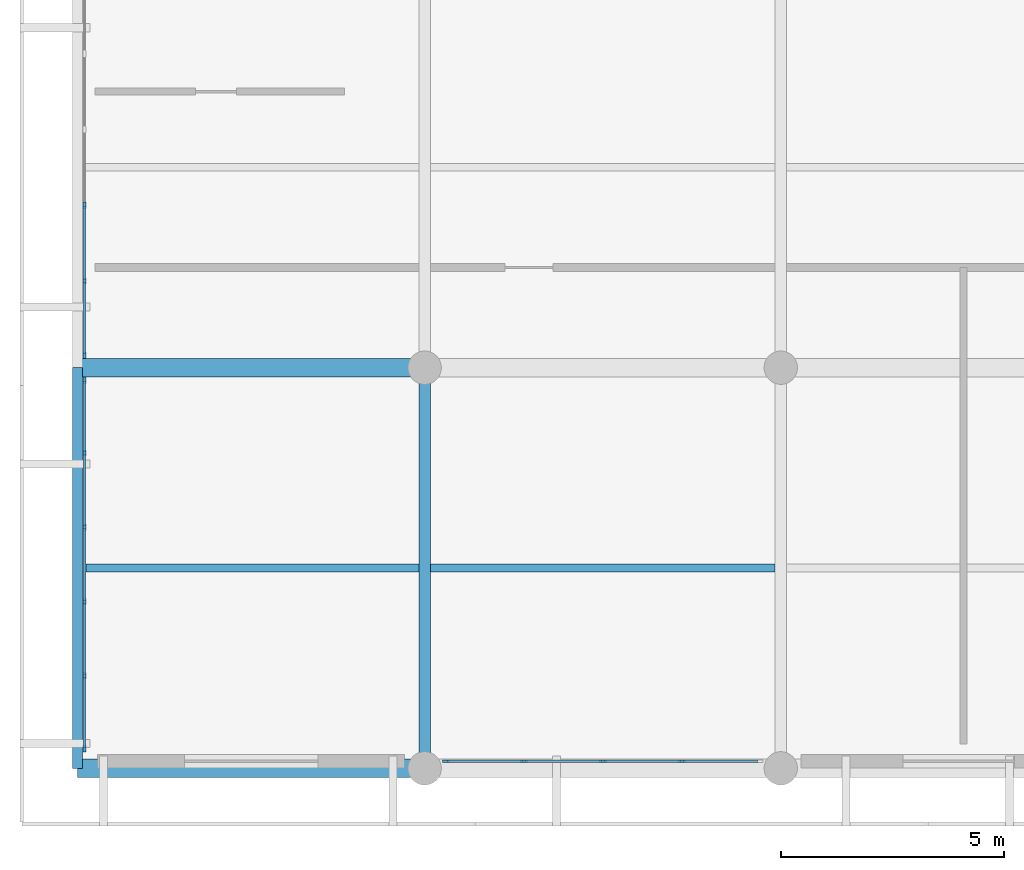
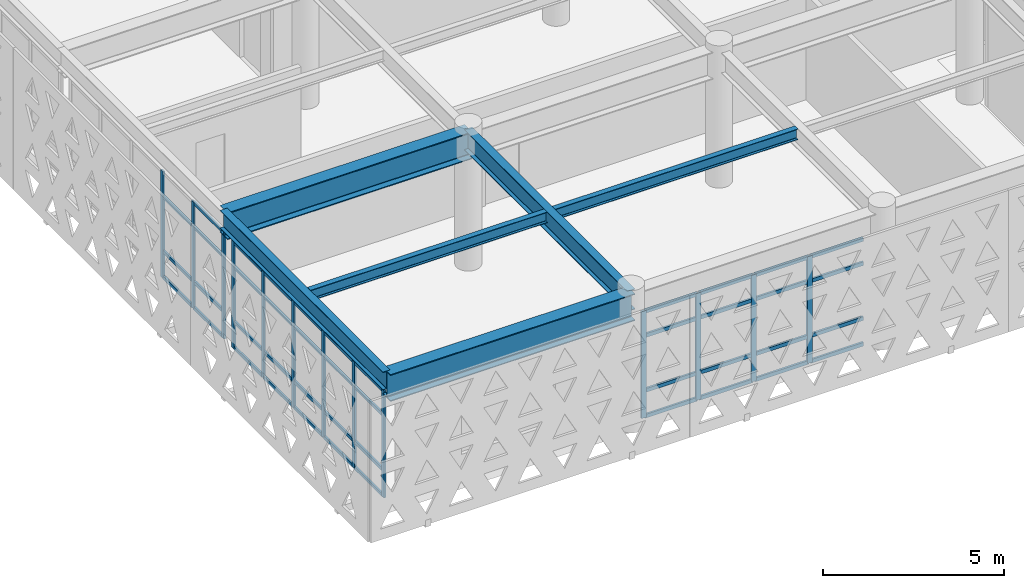
# One storey, part 2 of 33: 56 members, 6 beams, 3 elements without a shape of their own.
"""IFC4 building model written with IfcOpenShell, lengths in metres."""

from ifc_helpers import new_model, si_unit, direction, frame, origin, origin_2d, place, context, subcontext, project, spatial, rectangle, i_section, extrude, material, layer, layer_set, material_profile, profile_set, type_object, element, aggregate, save


model = new_model("IFC4")

# Units and contexts
model_context = context("Model", 3, precision=1e-05, world=origin(), true_north=direction((0.0, 1.0)))
body_context = subcontext(model_context, "Body", "Model", "MODEL_VIEW")
ifc_project = project(units=[si_unit("LENGTHUNIT", "METRE"), si_unit("AREAUNIT", "SQUARE_METRE"), si_unit("VOLUMEUNIT", "CUBIC_METRE"), si_unit("PLANEANGLEUNIT", "RADIAN"), si_unit("MASSUNIT", "GRAM", prefix="KILO")], contexts=[model_context])

# Site, building, storey
site_placement = place(None, origin())
site = spatial("IfcSite", under=ifc_project, at=site_placement, CompositionType="ELEMENT")
building_placement = place(site_placement, origin())
building = spatial("IfcBuilding", under=site, at=building_placement, Name="Tlacozan Convention Centre", CompositionType="ELEMENT")
storey_placement = place(building_placement, frame((0.0, 0.0, 16.199951171875)))
storey = spatial("IfcBuildingStorey", under=building, at=storey_placement, Name="L03", CompositionType="ELEMENT", Elevation=16.199951171875)

# Beams
ifc_material_1 = material(Name="Steel ASTM A992 Grade 50", Category="steel")
ifc_material_profile_1 = material_profile(ifc_material_1, i_section(OverallWidth=0.41796875, OverallDepth=0.912109375, WebThickness=0.019287109375, FlangeThickness=0.031982421875, FilletRadius=0.02001953125, at=origin_2d()), Name="IR 914x342.0")
ifc_profile_set_1 = profile_set([ifc_material_profile_1], Name="Steel ASTM A992 Grade 50")
beam_type_1 = type_object("IfcBeamType", Name="Cantilever Girder IR 914x342", PredefinedType="BEAM", material=ifc_profile_set_1)
for number, where, z_axis, x_axis, name in (
    (1, (8.0, 0.0, 4.10400390625), (-1.0, 0.0, 0.0), (0.0, -1.0, 0.0), "L03 Cantilever Girder IR 914x342 577"),
    (2, (8.0, 9.0, 4.10400390625), (-1.0, 0.0, 0.0), (0.0, -1.0, 0.0), "L03 Cantilever Girder IR 914x342 579"),
):
    element("IfcBeam", number, at=place(storey_placement, frame(where, z_axis=z_axis, x_axis=x_axis)), inside=storey, type_object=beam_type_1, Name=name, PredefinedType="BEAM", context=body_context, shape_type="SweptSolid", body=[
        extrude(i_section(OverallWidth=0.41796875, OverallDepth=0.912109375, WebThickness=0.019287109375, FlangeThickness=0.031982421875, FilletRadius=0.02001953125, at=origin_2d()), origin(), (0.0, 0.0, 1.0), 7.800048828125),
    ])

# Curtain wall, members
ifc_material_2 = material(Name="Dark Bronze Anodised Aluminium", Category="aluminium")
ifc_layer_1 = layer(ifc_material_2, 0.159912109375)
ifc_layer_set_1 = layer_set([ifc_layer_1], Name="Dark Bronze Anodised Aluminium")
curtain_wall_type_1 = type_object("IfcCurtainWallType", Name="Unitised Congress Gable End CW06", PredefinedType="NOTDEFINED", material=ifc_layer_set_1)
curtain_wall_1_placement = place(storey_placement, origin())
curtain_wall_1 = element("IfcCurtainWall", 3, at=curtain_wall_1_placement, inside=storey, type_object=curtain_wall_type_1, Name="L03 CW-06 Run 118", PredefinedType="NOTDEFINED")
ifc_material_profile_2 = material_profile(ifc_material_2, rectangle(XDim=0.06005859375, YDim=0.139892578125, at=origin_2d()), Name="ALU 60x140")
ifc_profile_set_2 = profile_set([ifc_material_profile_2], Name="Dark Bronze Anodised Aluminium")
member_type_1 = type_object("IfcMemberType", Name="Curtain Wall Light Mullion 60x140", PredefinedType="MULLION", material=ifc_profile_set_2)
member_1_placement = place(storey_placement, frame((0.360107421875, 0.43994140625, 0.0), z_axis=(0.0, 0.0, 1.0), x_axis=(-1.0, 0.0, 0.0)))
member_1 = element("IfcMember", 4, at=member_1_placement, type_object=member_type_1, Name="CW-06 mullion 1", PredefinedType="MULLION", context=body_context, shape_type="SweptSolid", body=[
    extrude(rectangle(XDim=0.06005859375, YDim=0.139892578125, at=origin_2d()), origin(), (0.0, 0.0, 1.0), 3.60009765625),
])
member_2_placement = place(storey_placement, frame((0.360107421875, 2.077880859375, 0.0), z_axis=(0.0, 0.0, 1.0), x_axis=(-1.0, 0.0, 0.0)))
member_2 = element("IfcMember", 5, at=member_2_placement, type_object=member_type_1, Name="CW-06 mullion 2", PredefinedType="MULLION", context=body_context, shape_type="SweptSolid", body=[
    extrude(rectangle(XDim=0.06005859375, YDim=0.139892578125, at=origin_2d()), origin(), (0.0, 0.0, 1.0), 3.60009765625),
])
member_3_placement = place(storey_placement, frame((0.360107421875, 3.74609375, 0.0), z_axis=(0.0, 0.0, 1.0), x_axis=(-1.0, 0.0, 0.0)))
member_3 = element("IfcMember", 6, at=member_3_placement, type_object=member_type_1, Name="CW-06 mullion 3", PredefinedType="MULLION", context=body_context, shape_type="SweptSolid", body=[
    extrude(rectangle(XDim=0.06005859375, YDim=0.139892578125, at=origin_2d()), origin(), (0.0, 0.0, 1.0), 3.60009765625),
])
member_4_placement = place(storey_placement, frame((0.360107421875, 5.4140625, 0.0), z_axis=(0.0, 0.0, 1.0), x_axis=(-1.0, 0.0, 0.0)))
member_4 = element("IfcMember", 7, at=member_4_placement, type_object=member_type_1, Name="CW-06 mullion 4", PredefinedType="MULLION", context=body_context, shape_type="SweptSolid", body=[
    extrude(rectangle(XDim=0.06005859375, YDim=0.139892578125, at=origin_2d()), origin(), (0.0, 0.0, 1.0), 3.60009765625),
])
member_5_placement = place(storey_placement, frame((0.360107421875, 7.08203125, 0.0), z_axis=(0.0, 0.0, 1.0), x_axis=(-1.0, 0.0, 0.0)))
member_5 = element("IfcMember", 8, at=member_5_placement, type_object=member_type_1, Name="CW-06 mullion 5", PredefinedType="MULLION", context=body_context, shape_type="SweptSolid", body=[
    extrude(rectangle(XDim=0.06005859375, YDim=0.139892578125, at=origin_2d()), origin(), (0.0, 0.0, 1.0), 3.60009765625),
])
member_6_placement = place(storey_placement, frame((0.360107421875, 8.719970703125, 0.0), z_axis=(0.0, 0.0, 1.0), x_axis=(-1.0, 0.0, 0.0)))
member_6 = element("IfcMember", 9, at=member_6_placement, type_object=member_type_1, Name="CW-06 mullion 6", PredefinedType="MULLION", context=body_context, shape_type="SweptSolid", body=[
    extrude(rectangle(XDim=0.06005859375, YDim=0.139892578125, at=origin_2d()), origin(), (0.0, 0.0, 1.0), 3.60009765625),
])

curtain_wall_2_placement = place(storey_placement, origin())
curtain_wall_2 = element("IfcCurtainWall", 10, at=curtain_wall_2_placement, inside=storey, type_object=curtain_wall_type_1, Name="L03 CW-06 Run 120", PredefinedType="NOTDEFINED")
member_7_placement = place(storey_placement, frame((0.360107421875, 9.280029296875, 0.0), z_axis=(0.0, 0.0, 1.0), x_axis=(-1.0, 0.0, 0.0)))
member_7 = element("IfcMember", 11, at=member_7_placement, type_object=member_type_1, Name="CW-06 mullion 1", PredefinedType="MULLION", context=body_context, shape_type="SweptSolid", body=[
    extrude(rectangle(XDim=0.06005859375, YDim=0.139892578125, at=origin_2d()), origin(), (0.0, 0.0, 1.0), 3.60009765625),
])
member_8_placement = place(storey_placement, frame((0.360107421875, 10.949951171875, 0.0), z_axis=(0.0, 0.0, 1.0), x_axis=(-1.0, 0.0, 0.0)))
member_8 = element("IfcMember", 12, at=member_8_placement, type_object=member_type_1, Name="CW-06 mullion 2", PredefinedType="MULLION", context=body_context, shape_type="SweptSolid", body=[
    extrude(rectangle(XDim=0.06005859375, YDim=0.139892578125, at=origin_2d()), origin(), (0.0, 0.0, 1.0), 3.60009765625),
])
member_9_placement = place(storey_placement, frame((0.360107421875, 12.64990234375, 0.0), z_axis=(0.0, 0.0, 1.0), x_axis=(-1.0, 0.0, 0.0)))
member_9 = element("IfcMember", 13, at=member_9_placement, type_object=member_type_1, Name="CW-06 mullion 3", PredefinedType="MULLION", context=body_context, shape_type="SweptSolid", body=[
    extrude(rectangle(XDim=0.06005859375, YDim=0.139892578125, at=origin_2d()), origin(), (0.0, 0.0, 1.0), 3.60009765625),
])

# Member
ifc_material_profile_3 = material_profile(ifc_material_2, rectangle(XDim=0.06005859375, YDim=0.110107421875, at=origin_2d()), Name="ALU 60x110")
ifc_profile_set_3 = profile_set([ifc_material_profile_3], Name="Dark Bronze Anodised Aluminium")
member_type_2 = type_object("IfcMemberType", Name="Curtain Wall Light Transom 60x110", PredefinedType="USERDEFINED", material=ifc_profile_set_3)
member_10_placement = place(storey_placement, frame((0.360107421875, 0.469970703125, 0.030029296875), z_axis=(0.0, 1.0, 0.0), x_axis=(-1.0, 0.0, 0.0)))
member_10 = element("IfcMember", 14, at=member_10_placement, type_object=member_type_2, Name="CW-06 transom 1.1", ObjectType="TRANSOM", PredefinedType="USERDEFINED", context=body_context, shape_type="SweptSolid", body=[
    extrude(rectangle(XDim=0.06005859375, YDim=0.110107421875, at=origin_2d()), origin(), (0.0, 0.0, 1.0), 1.578125),
])

member_11_placement = place(storey_placement, frame((0.360107421875, 0.469970703125, 0.900146484375), z_axis=(0.0, 1.0, 0.0), x_axis=(-1.0, 0.0, 0.0)))
member_11 = element("IfcMember", 15, at=member_11_placement, type_object=member_type_2, Name="CW-06 transom 1.2", ObjectType="TRANSOM", PredefinedType="USERDEFINED", context=body_context, shape_type="SweptSolid", body=[
    extrude(rectangle(XDim=0.06005859375, YDim=0.110107421875, at=origin_2d()), origin(), (0.0, 0.0, 1.0), 1.578125),
])

member_12_placement = place(storey_placement, frame((0.360107421875, 0.469970703125, 2.75), z_axis=(0.0, 1.0, 0.0), x_axis=(-1.0, 0.0, 0.0)))
member_12 = element("IfcMember", 16, at=member_12_placement, type_object=member_type_2, Name="CW-06 transom 1.3", ObjectType="TRANSOM", PredefinedType="USERDEFINED", context=body_context, shape_type="SweptSolid", body=[
    extrude(rectangle(XDim=0.06005859375, YDim=0.110107421875, at=origin_2d()), origin(), (0.0, 0.0, 1.0), 1.578125),
])

member_13_placement = place(storey_placement, frame((0.360107421875, 0.469970703125, 3.570068359375), z_axis=(0.0, 1.0, 0.0), x_axis=(-1.0, 0.0, 0.0)))
member_13 = element("IfcMember", 17, at=member_13_placement, type_object=member_type_2, Name="CW-06 transom 1.4", ObjectType="TRANSOM", PredefinedType="USERDEFINED", context=body_context, shape_type="SweptSolid", body=[
    extrude(rectangle(XDim=0.06005859375, YDim=0.110107421875, at=origin_2d()), origin(), (0.0, 0.0, 1.0), 1.578125),
])

member_14_placement = place(storey_placement, frame((0.360107421875, 2.10791015625, 0.030029296875), z_axis=(0.0, 1.0, 0.0), x_axis=(-1.0, 0.0, 0.0)))
member_14 = element("IfcMember", 18, at=member_14_placement, type_object=member_type_2, Name="CW-06 transom 2.1", ObjectType="TRANSOM", PredefinedType="USERDEFINED", context=body_context, shape_type="SweptSolid", body=[
    extrude(rectangle(XDim=0.06005859375, YDim=0.110107421875, at=origin_2d()), origin(), (0.0, 0.0, 1.0), 1.608154296875),
])

member_15_placement = place(storey_placement, frame((0.360107421875, 2.10791015625, 0.900146484375), z_axis=(0.0, 1.0, 0.0), x_axis=(-1.0, 0.0, 0.0)))
member_15 = element("IfcMember", 19, at=member_15_placement, type_object=member_type_2, Name="CW-06 transom 2.2", ObjectType="TRANSOM", PredefinedType="USERDEFINED", context=body_context, shape_type="SweptSolid", body=[
    extrude(rectangle(XDim=0.06005859375, YDim=0.110107421875, at=origin_2d()), origin(), (0.0, 0.0, 1.0), 1.608154296875),
])

member_16_placement = place(storey_placement, frame((0.360107421875, 2.10791015625, 2.75), z_axis=(0.0, 1.0, 0.0), x_axis=(-1.0, 0.0, 0.0)))
member_16 = element("IfcMember", 20, at=member_16_placement, type_object=member_type_2, Name="CW-06 transom 2.3", ObjectType="TRANSOM", PredefinedType="USERDEFINED", context=body_context, shape_type="SweptSolid", body=[
    extrude(rectangle(XDim=0.06005859375, YDim=0.110107421875, at=origin_2d()), origin(), (0.0, 0.0, 1.0), 1.608154296875),
])

member_17_placement = place(storey_placement, frame((0.360107421875, 2.10791015625, 3.570068359375), z_axis=(0.0, 1.0, 0.0), x_axis=(-1.0, 0.0, 0.0)))
member_17 = element("IfcMember", 21, at=member_17_placement, type_object=member_type_2, Name="CW-06 transom 2.4", ObjectType="TRANSOM", PredefinedType="USERDEFINED", context=body_context, shape_type="SweptSolid", body=[
    extrude(rectangle(XDim=0.06005859375, YDim=0.110107421875, at=origin_2d()), origin(), (0.0, 0.0, 1.0), 1.608154296875),
])

member_18_placement = place(storey_placement, frame((0.360107421875, 3.77587890625, 0.030029296875), z_axis=(0.0, 1.0, 0.0), x_axis=(-1.0, 0.0, 0.0)))
member_18 = element("IfcMember", 22, at=member_18_placement, type_object=member_type_2, Name="CW-06 transom 3.1", ObjectType="TRANSOM", PredefinedType="USERDEFINED", context=body_context, shape_type="SweptSolid", body=[
    extrude(rectangle(XDim=0.06005859375, YDim=0.110107421875, at=origin_2d()), origin(), (0.0, 0.0, 1.0), 1.608154296875),
])

member_19_placement = place(storey_placement, frame((0.360107421875, 3.77587890625, 0.900146484375), z_axis=(0.0, 1.0, 0.0), x_axis=(-1.0, 0.0, 0.0)))
member_19 = element("IfcMember", 23, at=member_19_placement, type_object=member_type_2, Name="CW-06 transom 3.2", ObjectType="TRANSOM", PredefinedType="USERDEFINED", context=body_context, shape_type="SweptSolid", body=[
    extrude(rectangle(XDim=0.06005859375, YDim=0.110107421875, at=origin_2d()), origin(), (0.0, 0.0, 1.0), 1.608154296875),
])

member_20_placement = place(storey_placement, frame((0.360107421875, 3.77587890625, 2.75), z_axis=(0.0, 1.0, 0.0), x_axis=(-1.0, 0.0, 0.0)))
member_20 = element("IfcMember", 24, at=member_20_placement, type_object=member_type_2, Name="CW-06 transom 3.3", ObjectType="TRANSOM", PredefinedType="USERDEFINED", context=body_context, shape_type="SweptSolid", body=[
    extrude(rectangle(XDim=0.06005859375, YDim=0.110107421875, at=origin_2d()), origin(), (0.0, 0.0, 1.0), 1.608154296875),
])

member_21_placement = place(storey_placement, frame((0.360107421875, 3.77587890625, 3.570068359375), z_axis=(0.0, 1.0, 0.0), x_axis=(-1.0, 0.0, 0.0)))
member_21 = element("IfcMember", 25, at=member_21_placement, type_object=member_type_2, Name="CW-06 transom 3.4", ObjectType="TRANSOM", PredefinedType="USERDEFINED", context=body_context, shape_type="SweptSolid", body=[
    extrude(rectangle(XDim=0.06005859375, YDim=0.110107421875, at=origin_2d()), origin(), (0.0, 0.0, 1.0), 1.608154296875),
])

member_22_placement = place(storey_placement, frame((0.360107421875, 5.444091796875, 0.030029296875), z_axis=(0.0, 1.0, 0.0), x_axis=(-1.0, 0.0, 0.0)))
member_22 = element("IfcMember", 26, at=member_22_placement, type_object=member_type_2, Name="CW-06 transom 4.1", ObjectType="TRANSOM", PredefinedType="USERDEFINED", context=body_context, shape_type="SweptSolid", body=[
    extrude(rectangle(XDim=0.06005859375, YDim=0.110107421875, at=origin_2d()), origin(), (0.0, 0.0, 1.0), 1.60791015625),
])

member_23_placement = place(storey_placement, frame((0.360107421875, 5.444091796875, 0.900146484375), z_axis=(0.0, 1.0, 0.0), x_axis=(-1.0, 0.0, 0.0)))
member_23 = element("IfcMember", 27, at=member_23_placement, type_object=member_type_2, Name="CW-06 transom 4.2", ObjectType="TRANSOM", PredefinedType="USERDEFINED", context=body_context, shape_type="SweptSolid", body=[
    extrude(rectangle(XDim=0.06005859375, YDim=0.110107421875, at=origin_2d()), origin(), (0.0, 0.0, 1.0), 1.60791015625),
])

member_24_placement = place(storey_placement, frame((0.360107421875, 5.444091796875, 2.75), z_axis=(0.0, 1.0, 0.0), x_axis=(-1.0, 0.0, 0.0)))
member_24 = element("IfcMember", 28, at=member_24_placement, type_object=member_type_2, Name="CW-06 transom 4.3", ObjectType="TRANSOM", PredefinedType="USERDEFINED", context=body_context, shape_type="SweptSolid", body=[
    extrude(rectangle(XDim=0.06005859375, YDim=0.110107421875, at=origin_2d()), origin(), (0.0, 0.0, 1.0), 1.60791015625),
])

member_25_placement = place(storey_placement, frame((0.360107421875, 5.444091796875, 3.570068359375), z_axis=(0.0, 1.0, 0.0), x_axis=(-1.0, 0.0, 0.0)))
member_25 = element("IfcMember", 29, at=member_25_placement, type_object=member_type_2, Name="CW-06 transom 4.4", ObjectType="TRANSOM", PredefinedType="USERDEFINED", context=body_context, shape_type="SweptSolid", body=[
    extrude(rectangle(XDim=0.06005859375, YDim=0.110107421875, at=origin_2d()), origin(), (0.0, 0.0, 1.0), 1.60791015625),
])

member_26_placement = place(storey_placement, frame((0.360107421875, 7.112060546875, 0.030029296875), z_axis=(0.0, 1.0, 0.0), x_axis=(-1.0, 0.0, 0.0)))
member_26 = element("IfcMember", 30, at=member_26_placement, type_object=member_type_2, Name="CW-06 transom 5.1", ObjectType="TRANSOM", PredefinedType="USERDEFINED", context=body_context, shape_type="SweptSolid", body=[
    extrude(rectangle(XDim=0.06005859375, YDim=0.110107421875, at=origin_2d()), origin(), (0.0, 0.0, 1.0), 1.577880859375),
])

member_27_placement = place(storey_placement, frame((0.360107421875, 7.112060546875, 0.900146484375), z_axis=(0.0, 1.0, 0.0), x_axis=(-1.0, 0.0, 0.0)))
member_27 = element("IfcMember", 31, at=member_27_placement, type_object=member_type_2, Name="CW-06 transom 5.2", ObjectType="TRANSOM", PredefinedType="USERDEFINED", context=body_context, shape_type="SweptSolid", body=[
    extrude(rectangle(XDim=0.06005859375, YDim=0.110107421875, at=origin_2d()), origin(), (0.0, 0.0, 1.0), 1.577880859375),
])

member_28_placement = place(storey_placement, frame((0.360107421875, 7.112060546875, 2.75), z_axis=(0.0, 1.0, 0.0), x_axis=(-1.0, 0.0, 0.0)))
member_28 = element("IfcMember", 32, at=member_28_placement, type_object=member_type_2, Name="CW-06 transom 5.3", ObjectType="TRANSOM", PredefinedType="USERDEFINED", context=body_context, shape_type="SweptSolid", body=[
    extrude(rectangle(XDim=0.06005859375, YDim=0.110107421875, at=origin_2d()), origin(), (0.0, 0.0, 1.0), 1.577880859375),
])

member_29_placement = place(storey_placement, frame((0.360107421875, 7.112060546875, 3.570068359375), z_axis=(0.0, 1.0, 0.0), x_axis=(-1.0, 0.0, 0.0)))
member_29 = element("IfcMember", 33, at=member_29_placement, type_object=member_type_2, Name="CW-06 transom 5.4", ObjectType="TRANSOM", PredefinedType="USERDEFINED", context=body_context, shape_type="SweptSolid", body=[
    extrude(rectangle(XDim=0.06005859375, YDim=0.110107421875, at=origin_2d()), origin(), (0.0, 0.0, 1.0), 1.577880859375),
])

aggregate(curtain_wall_1, [member_1, member_2, member_3, member_4, member_5, member_6, member_10, member_11, member_12, member_13, member_14, member_15, member_16, member_17, member_18, member_19, member_20, member_21, member_22, member_23, member_24, member_25, member_26, member_27, member_28, member_29])

member_30_placement = place(storey_placement, frame((0.360107421875, 9.31005859375, 0.030029296875), z_axis=(0.0, 1.0, 0.0), x_axis=(-1.0, 0.0, 0.0)))
member_30 = element("IfcMember", 34, at=member_30_placement, type_object=member_type_2, Name="CW-06 transom 1.1", ObjectType="TRANSOM", PredefinedType="USERDEFINED", context=body_context, shape_type="SweptSolid", body=[
    extrude(rectangle(XDim=0.06005859375, YDim=0.110107421875, at=origin_2d()), origin(), (0.0, 0.0, 1.0), 1.60986328125),
])

member_31_placement = place(storey_placement, frame((0.360107421875, 9.31005859375, 0.900146484375), z_axis=(0.0, 1.0, 0.0), x_axis=(-1.0, 0.0, 0.0)))
member_31 = element("IfcMember", 35, at=member_31_placement, type_object=member_type_2, Name="CW-06 transom 1.2", ObjectType="TRANSOM", PredefinedType="USERDEFINED", context=body_context, shape_type="SweptSolid", body=[
    extrude(rectangle(XDim=0.06005859375, YDim=0.110107421875, at=origin_2d()), origin(), (0.0, 0.0, 1.0), 1.60986328125),
])

member_32_placement = place(storey_placement, frame((0.360107421875, 9.31005859375, 2.75), z_axis=(0.0, 1.0, 0.0), x_axis=(-1.0, 0.0, 0.0)))
member_32 = element("IfcMember", 36, at=member_32_placement, type_object=member_type_2, Name="CW-06 transom 1.3", ObjectType="TRANSOM", PredefinedType="USERDEFINED", context=body_context, shape_type="SweptSolid", body=[
    extrude(rectangle(XDim=0.06005859375, YDim=0.110107421875, at=origin_2d()), origin(), (0.0, 0.0, 1.0), 1.60986328125),
])

member_33_placement = place(storey_placement, frame((0.360107421875, 9.31005859375, 3.570068359375), z_axis=(0.0, 1.0, 0.0), x_axis=(-1.0, 0.0, 0.0)))
member_33 = element("IfcMember", 37, at=member_33_placement, type_object=member_type_2, Name="CW-06 transom 1.4", ObjectType="TRANSOM", PredefinedType="USERDEFINED", context=body_context, shape_type="SweptSolid", body=[
    extrude(rectangle(XDim=0.06005859375, YDim=0.110107421875, at=origin_2d()), origin(), (0.0, 0.0, 1.0), 1.60986328125),
])

member_34_placement = place(storey_placement, frame((0.360107421875, 10.97998046875, 0.030029296875), z_axis=(0.0, 1.0, 0.0), x_axis=(-1.0, 0.0, 0.0)))
member_34 = element("IfcMember", 38, at=member_34_placement, type_object=member_type_2, Name="CW-06 transom 2.1", ObjectType="TRANSOM", PredefinedType="USERDEFINED", context=body_context, shape_type="SweptSolid", body=[
    extrude(rectangle(XDim=0.06005859375, YDim=0.110107421875, at=origin_2d()), origin(), (0.0, 0.0, 1.0), 1.64013671875),
])

member_35_placement = place(storey_placement, frame((0.360107421875, 10.97998046875, 0.900146484375), z_axis=(0.0, 1.0, 0.0), x_axis=(-1.0, 0.0, 0.0)))
member_35 = element("IfcMember", 39, at=member_35_placement, type_object=member_type_2, Name="CW-06 transom 2.2", ObjectType="TRANSOM", PredefinedType="USERDEFINED", context=body_context, shape_type="SweptSolid", body=[
    extrude(rectangle(XDim=0.06005859375, YDim=0.110107421875, at=origin_2d()), origin(), (0.0, 0.0, 1.0), 1.64013671875),
])

member_36_placement = place(storey_placement, frame((0.360107421875, 10.97998046875, 2.75), z_axis=(0.0, 1.0, 0.0), x_axis=(-1.0, 0.0, 0.0)))
member_36 = element("IfcMember", 40, at=member_36_placement, type_object=member_type_2, Name="CW-06 transom 2.3", ObjectType="TRANSOM", PredefinedType="USERDEFINED", context=body_context, shape_type="SweptSolid", body=[
    extrude(rectangle(XDim=0.06005859375, YDim=0.110107421875, at=origin_2d()), origin(), (0.0, 0.0, 1.0), 1.64013671875),
])

aggregate(curtain_wall_2, [member_7, member_8, member_9, member_30, member_31, member_32, member_33, member_34, member_35, member_36])

# Curtain wall, members
ifc_layer_2 = layer(ifc_material_2, 0.159912109375)
ifc_layer_set_2 = layer_set([ifc_layer_2], Name="Dark Bronze Anodised Aluminium")
curtain_wall_type_2 = type_object("IfcCurtainWallType", Name="Unitised Congress L03 South CW04", PredefinedType="NOTDEFINED", material=ifc_layer_set_2)
curtain_wall_3_placement = place(storey_placement, origin())
curtain_wall_3 = element("IfcCurtainWall", 41, at=curtain_wall_3_placement, inside=storey, type_object=curtain_wall_type_2, Name="L03 CW-04 Run 102", PredefinedType="NOTDEFINED")
ifc_material_profile_4 = material_profile(ifc_material_2, rectangle(XDim=0.06494140625, YDim=0.159912109375, at=origin_2d()), Name="ALU 65x160")
ifc_profile_set_4 = profile_set([ifc_material_profile_4], Name="Dark Bronze Anodised Aluminium")
member_type_3 = type_object("IfcMemberType", Name="Curtain Wall Mullion 65x160", PredefinedType="MULLION", material=ifc_profile_set_4)
member_37_placement = place(storey_placement, frame((8.482421875, 0.159912109375, 0.0), z_axis=(0.0, 0.0, 1.0), x_axis=(0.0, 1.0, 0.0)))
member_37 = element("IfcMember", 42, at=member_37_placement, type_object=member_type_3, Name="CW-04 mullion 1", PredefinedType="MULLION", context=body_context, shape_type="SweptSolid", body=[
    extrude(rectangle(XDim=0.06494140625, YDim=0.159912109375, at=origin_2d()), origin(), (0.0, 0.0, 1.0), 3.60009765625),
])
member_38_placement = place(storey_placement, frame((10.22509765625, 0.159912109375, 0.0), z_axis=(0.0, 0.0, 1.0), x_axis=(0.0, 1.0, 0.0)))
member_38 = element("IfcMember", 43, at=member_38_placement, type_object=member_type_3, Name="CW-04 mullion 2", PredefinedType="MULLION", context=body_context, shape_type="SweptSolid", body=[
    extrude(rectangle(XDim=0.06494140625, YDim=0.159912109375, at=origin_2d()), origin(), (0.0, 0.0, 1.0), 3.60009765625),
])
member_39_placement = place(storey_placement, frame((12.0, 0.159912109375, 0.0), z_axis=(0.0, 0.0, 1.0), x_axis=(0.0, 1.0, 0.0)))
member_39 = element("IfcMember", 44, at=member_39_placement, type_object=member_type_3, Name="CW-04 mullion 3", PredefinedType="MULLION", context=body_context, shape_type="SweptSolid", body=[
    extrude(rectangle(XDim=0.06494140625, YDim=0.159912109375, at=origin_2d()), origin(), (0.0, 0.0, 1.0), 3.60009765625),
])
member_40_placement = place(storey_placement, frame((13.77490234375, 0.159912109375, 0.0), z_axis=(0.0, 0.0, 1.0), x_axis=(0.0, 1.0, 0.0)))
member_40 = element("IfcMember", 45, at=member_40_placement, type_object=member_type_3, Name="CW-04 mullion 4", PredefinedType="MULLION", context=body_context, shape_type="SweptSolid", body=[
    extrude(rectangle(XDim=0.06494140625, YDim=0.159912109375, at=origin_2d()), origin(), (0.0, 0.0, 1.0), 3.60009765625),
])
ifc_material_profile_5 = material_profile(ifc_material_2, rectangle(XDim=0.06494140625, YDim=0.125, at=origin_2d()), Name="ALU 65x125")
ifc_profile_set_5 = profile_set([ifc_material_profile_5], Name="Dark Bronze Anodised Aluminium")
member_type_4 = type_object("IfcMemberType", Name="Curtain Wall Transom 65x125", PredefinedType="USERDEFINED", material=ifc_profile_set_5)
member_41_placement = place(storey_placement, frame((8.514892578125, 0.159912109375, 0.032470703125), z_axis=(1.0, 0.0, 0.0), x_axis=(0.0, 1.0, 0.0)))
member_41 = element("IfcMember", 46, at=member_41_placement, type_object=member_type_4, Name="CW-04 transom 1.1", ObjectType="TRANSOM", PredefinedType="USERDEFINED", context=body_context, shape_type="SweptSolid", body=[
    extrude(rectangle(XDim=0.06494140625, YDim=0.125, at=origin_2d()), origin(), (0.0, 0.0, 1.0), 1.677490234375),
])
member_42_placement = place(storey_placement, frame((8.514892578125, 0.159912109375, 0.900146484375), z_axis=(1.0, 0.0, 0.0), x_axis=(0.0, 1.0, 0.0)))
member_42 = element("IfcMember", 47, at=member_42_placement, type_object=member_type_4, Name="CW-04 transom 1.2", ObjectType="TRANSOM", PredefinedType="USERDEFINED", context=body_context, shape_type="SweptSolid", body=[
    extrude(rectangle(XDim=0.06494140625, YDim=0.125, at=origin_2d()), origin(), (0.0, 0.0, 1.0), 1.677490234375),
])
member_43_placement = place(storey_placement, frame((8.514892578125, 0.159912109375, 2.75), z_axis=(1.0, 0.0, 0.0), x_axis=(0.0, 1.0, 0.0)))
member_43 = element("IfcMember", 48, at=member_43_placement, type_object=member_type_4, Name="CW-04 transom 1.3", ObjectType="TRANSOM", PredefinedType="USERDEFINED", context=body_context, shape_type="SweptSolid", body=[
    extrude(rectangle(XDim=0.06494140625, YDim=0.125, at=origin_2d()), origin(), (0.0, 0.0, 1.0), 1.677490234375),
])
member_44_placement = place(storey_placement, frame((8.514892578125, 0.159912109375, 3.567626953125), z_axis=(1.0, 0.0, 0.0), x_axis=(0.0, 1.0, 0.0)))
member_44 = element("IfcMember", 49, at=member_44_placement, type_object=member_type_4, Name="CW-04 transom 1.4", ObjectType="TRANSOM", PredefinedType="USERDEFINED", context=body_context, shape_type="SweptSolid", body=[
    extrude(rectangle(XDim=0.06494140625, YDim=0.125, at=origin_2d()), origin(), (0.0, 0.0, 1.0), 1.677490234375),
])
member_45_placement = place(storey_placement, frame((10.257568359375, 0.159912109375, 0.032470703125), z_axis=(1.0, 0.0, 0.0), x_axis=(0.0, 1.0, 0.0)))
member_45 = element("IfcMember", 50, at=member_45_placement, type_object=member_type_4, Name="CW-04 transom 2.1", ObjectType="TRANSOM", PredefinedType="USERDEFINED", context=body_context, shape_type="SweptSolid", body=[
    extrude(rectangle(XDim=0.06494140625, YDim=0.125, at=origin_2d()), origin(), (0.0, 0.0, 1.0), 1.7099609375),
])
member_46_placement = place(storey_placement, frame((10.257568359375, 0.159912109375, 0.900146484375), z_axis=(1.0, 0.0, 0.0), x_axis=(0.0, 1.0, 0.0)))
member_46 = element("IfcMember", 51, at=member_46_placement, type_object=member_type_4, Name="CW-04 transom 2.2", ObjectType="TRANSOM", PredefinedType="USERDEFINED", context=body_context, shape_type="SweptSolid", body=[
    extrude(rectangle(XDim=0.06494140625, YDim=0.125, at=origin_2d()), origin(), (0.0, 0.0, 1.0), 1.7099609375),
])
member_47_placement = place(storey_placement, frame((10.257568359375, 0.159912109375, 2.75), z_axis=(1.0, 0.0, 0.0), x_axis=(0.0, 1.0, 0.0)))
member_47 = element("IfcMember", 52, at=member_47_placement, type_object=member_type_4, Name="CW-04 transom 2.3", ObjectType="TRANSOM", PredefinedType="USERDEFINED", context=body_context, shape_type="SweptSolid", body=[
    extrude(rectangle(XDim=0.06494140625, YDim=0.125, at=origin_2d()), origin(), (0.0, 0.0, 1.0), 1.7099609375),
])
member_48_placement = place(storey_placement, frame((10.257568359375, 0.159912109375, 3.567626953125), z_axis=(1.0, 0.0, 0.0), x_axis=(0.0, 1.0, 0.0)))
member_48 = element("IfcMember", 53, at=member_48_placement, type_object=member_type_4, Name="CW-04 transom 2.4", ObjectType="TRANSOM", PredefinedType="USERDEFINED", context=body_context, shape_type="SweptSolid", body=[
    extrude(rectangle(XDim=0.06494140625, YDim=0.125, at=origin_2d()), origin(), (0.0, 0.0, 1.0), 1.7099609375),
])
member_49_placement = place(storey_placement, frame((12.032470703125, 0.159912109375, 0.032470703125), z_axis=(1.0, 0.0, 0.0), x_axis=(0.0, 1.0, 0.0)))
member_49 = element("IfcMember", 54, at=member_49_placement, type_object=member_type_4, Name="CW-04 transom 3.1", ObjectType="TRANSOM", PredefinedType="USERDEFINED", context=body_context, shape_type="SweptSolid", body=[
    extrude(rectangle(XDim=0.06494140625, YDim=0.125, at=origin_2d()), origin(), (0.0, 0.0, 1.0), 1.7099609375),
])
member_50_placement = place(storey_placement, frame((12.032470703125, 0.159912109375, 0.900146484375), z_axis=(1.0, 0.0, 0.0), x_axis=(0.0, 1.0, 0.0)))
member_50 = element("IfcMember", 55, at=member_50_placement, type_object=member_type_4, Name="CW-04 transom 3.2", ObjectType="TRANSOM", PredefinedType="USERDEFINED", context=body_context, shape_type="SweptSolid", body=[
    extrude(rectangle(XDim=0.06494140625, YDim=0.125, at=origin_2d()), origin(), (0.0, 0.0, 1.0), 1.7099609375),
])
member_51_placement = place(storey_placement, frame((12.032470703125, 0.159912109375, 2.75), z_axis=(1.0, 0.0, 0.0), x_axis=(0.0, 1.0, 0.0)))
member_51 = element("IfcMember", 56, at=member_51_placement, type_object=member_type_4, Name="CW-04 transom 3.3", ObjectType="TRANSOM", PredefinedType="USERDEFINED", context=body_context, shape_type="SweptSolid", body=[
    extrude(rectangle(XDim=0.06494140625, YDim=0.125, at=origin_2d()), origin(), (0.0, 0.0, 1.0), 1.7099609375),
])
member_52_placement = place(storey_placement, frame((12.032470703125, 0.159912109375, 3.567626953125), z_axis=(1.0, 0.0, 0.0), x_axis=(0.0, 1.0, 0.0)))
member_52 = element("IfcMember", 57, at=member_52_placement, type_object=member_type_4, Name="CW-04 transom 3.4", ObjectType="TRANSOM", PredefinedType="USERDEFINED", context=body_context, shape_type="SweptSolid", body=[
    extrude(rectangle(XDim=0.06494140625, YDim=0.125, at=origin_2d()), origin(), (0.0, 0.0, 1.0), 1.7099609375),
])
member_53_placement = place(storey_placement, frame((13.8076171875, 0.159912109375, 0.032470703125), z_axis=(1.0, 0.0, 0.0), x_axis=(0.0, 1.0, 0.0)))
member_53 = element("IfcMember", 58, at=member_53_placement, type_object=member_type_4, Name="CW-04 transom 4.1", ObjectType="TRANSOM", PredefinedType="USERDEFINED", context=body_context, shape_type="SweptSolid", body=[
    extrude(rectangle(XDim=0.06494140625, YDim=0.125, at=origin_2d()), origin(), (0.0, 0.0, 1.0), 1.677490234375),
])
member_54_placement = place(storey_placement, frame((13.8076171875, 0.159912109375, 0.900146484375), z_axis=(1.0, 0.0, 0.0), x_axis=(0.0, 1.0, 0.0)))
member_54 = element("IfcMember", 59, at=member_54_placement, type_object=member_type_4, Name="CW-04 transom 4.2", ObjectType="TRANSOM", PredefinedType="USERDEFINED", context=body_context, shape_type="SweptSolid", body=[
    extrude(rectangle(XDim=0.06494140625, YDim=0.125, at=origin_2d()), origin(), (0.0, 0.0, 1.0), 1.677490234375),
])
member_55_placement = place(storey_placement, frame((13.8076171875, 0.159912109375, 2.75), z_axis=(1.0, 0.0, 0.0), x_axis=(0.0, 1.0, 0.0)))
member_55 = element("IfcMember", 60, at=member_55_placement, type_object=member_type_4, Name="CW-04 transom 4.3", ObjectType="TRANSOM", PredefinedType="USERDEFINED", context=body_context, shape_type="SweptSolid", body=[
    extrude(rectangle(XDim=0.06494140625, YDim=0.125, at=origin_2d()), origin(), (0.0, 0.0, 1.0), 1.677490234375),
])
member_56_placement = place(storey_placement, frame((13.8076171875, 0.159912109375, 3.567626953125), z_axis=(1.0, 0.0, 0.0), x_axis=(0.0, 1.0, 0.0)))
member_56 = element("IfcMember", 61, at=member_56_placement, type_object=member_type_4, Name="CW-04 transom 4.4", ObjectType="TRANSOM", PredefinedType="USERDEFINED", context=body_context, shape_type="SweptSolid", body=[
    extrude(rectangle(XDim=0.06494140625, YDim=0.125, at=origin_2d()), origin(), (0.0, 0.0, 1.0), 1.677490234375),
])
aggregate(curtain_wall_3, [member_37, member_38, member_39, member_40, member_41, member_42, member_43, member_44, member_45, member_46, member_47, member_48, member_49, member_50, member_51, member_52, member_53, member_54, member_55, member_56])

# Beams
ifc_material_profile_6 = material_profile(ifc_material_1, i_section(OverallWidth=0.256103515625, OverallDepth=0.693115234375, WebThickness=0.014404296875, FlangeThickness=0.023681640625, FilletRadius=0.014892578125, at=origin_2d()), Name="IR 686x170.0")
ifc_profile_set_6 = profile_set([ifc_material_profile_6], Name="Steel ASTM A992 Grade 50")
beam_type_2 = type_object("IfcBeamType", Name="Girder Steel IR 686x170", PredefinedType="BEAM", material=ifc_profile_set_6)
beam_1_placement = place(storey_placement, frame((8.0, 0.0, 4.213623046875), z_axis=(0.0, 1.0, 0.0), x_axis=(-1.0, 0.0, 0.0)))
element("IfcBeam", 62, at=beam_1_placement, inside=storey, type_object=beam_type_2, Name="L03 Girder Steel IR 686x170 537", PredefinedType="BEAM", context=body_context, shape_type="SweptSolid", body=[
    extrude(i_section(OverallWidth=0.256103515625, OverallDepth=0.693115234375, WebThickness=0.014404296875, FlangeThickness=0.023681640625, FilletRadius=0.014892578125, at=origin_2d()), origin(), (0.0, 0.0, 1.0), 9.0),
])
ifc_material_profile_7 = material_profile(ifc_material_1, i_section(OverallWidth=0.22900390625, OverallDepth=0.612060546875, WebThickness=0.011962890625, FlangeThickness=0.01953125, FilletRadius=0.012939453125, at=origin_2d()), Name="IR 610x125.0")
ifc_profile_set_7 = profile_set([ifc_material_profile_7], Name="Steel ASTM A992 Grade 50")
beam_type_3 = type_object("IfcBeamType", Name="Perimeter Spandrel IR 610x125", PredefinedType="SPANDREL", material=ifc_profile_set_7)
beam_2_placement = place(storey_placement, frame((0.199951171875, 0.0, 4.254150390625), z_axis=(0.0, 1.0, 0.0), x_axis=(-1.0, 0.0, 0.0)))
element("IfcBeam", 63, at=beam_2_placement, inside=storey, type_object=beam_type_3, Name="L03 Perimeter Spandrel IR 610x125 573", PredefinedType="SPANDREL", context=body_context, shape_type="SweptSolid", body=[
    extrude(i_section(OverallWidth=0.22900390625, OverallDepth=0.612060546875, WebThickness=0.011962890625, FlangeThickness=0.01953125, FilletRadius=0.012939453125, at=origin_2d()), origin(), (0.0, 0.0, 1.0), 9.0),
])
ifc_material_profile_8 = material_profile(ifc_material_1, i_section(OverallWidth=0.173095703125, OverallDepth=0.364013671875, WebThickness=0.009033203125, FlangeThickness=0.015625, FilletRadius=0.010009765625, at=origin_2d()), Name="IR 356x67.1")
ifc_profile_set_8 = profile_set([ifc_material_profile_8], Name="Steel ASTM A992 Grade 50")
beam_type_4 = type_object("IfcBeamType", Name="Secondary Joist IR 356x67.1", PredefinedType="JOIST", material=ifc_profile_set_8)
beam_3_placement = place(storey_placement, frame((0.325927734375, 4.5, 4.3779296875), z_axis=(1.0, 0.0, 0.0), x_axis=(0.0, 1.0, 0.0)))
element("IfcBeam", 64, at=beam_3_placement, inside=storey, type_object=beam_type_4, Name="L03 Secondary Joist IR 356x67.1 620", PredefinedType="JOIST", context=body_context, shape_type="SweptSolid", body=[
    extrude(i_section(OverallWidth=0.173095703125, OverallDepth=0.364013671875, WebThickness=0.009033203125, FlangeThickness=0.015625, FilletRadius=0.010009765625, at=origin_2d()), origin(), (0.0, 0.0, 1.0), 7.548095703125),
])
beam_4_placement = place(storey_placement, frame((8.1259765625, 4.5, 4.3779296875), z_axis=(1.0, 0.0, 0.0), x_axis=(0.0, 1.0, 0.0)))
element("IfcBeam", 65, at=beam_4_placement, inside=storey, type_object=beam_type_4, Name="L03 Secondary Joist IR 356x67.1 623", PredefinedType="JOIST", context=body_context, shape_type="SweptSolid", body=[
    extrude(i_section(OverallWidth=0.173095703125, OverallDepth=0.364013671875, WebThickness=0.009033203125, FlangeThickness=0.015625, FilletRadius=0.010009765625, at=origin_2d()), origin(), (0.0, 0.0, 1.0), 7.748046875),
])

save(model, "model.ifc")
